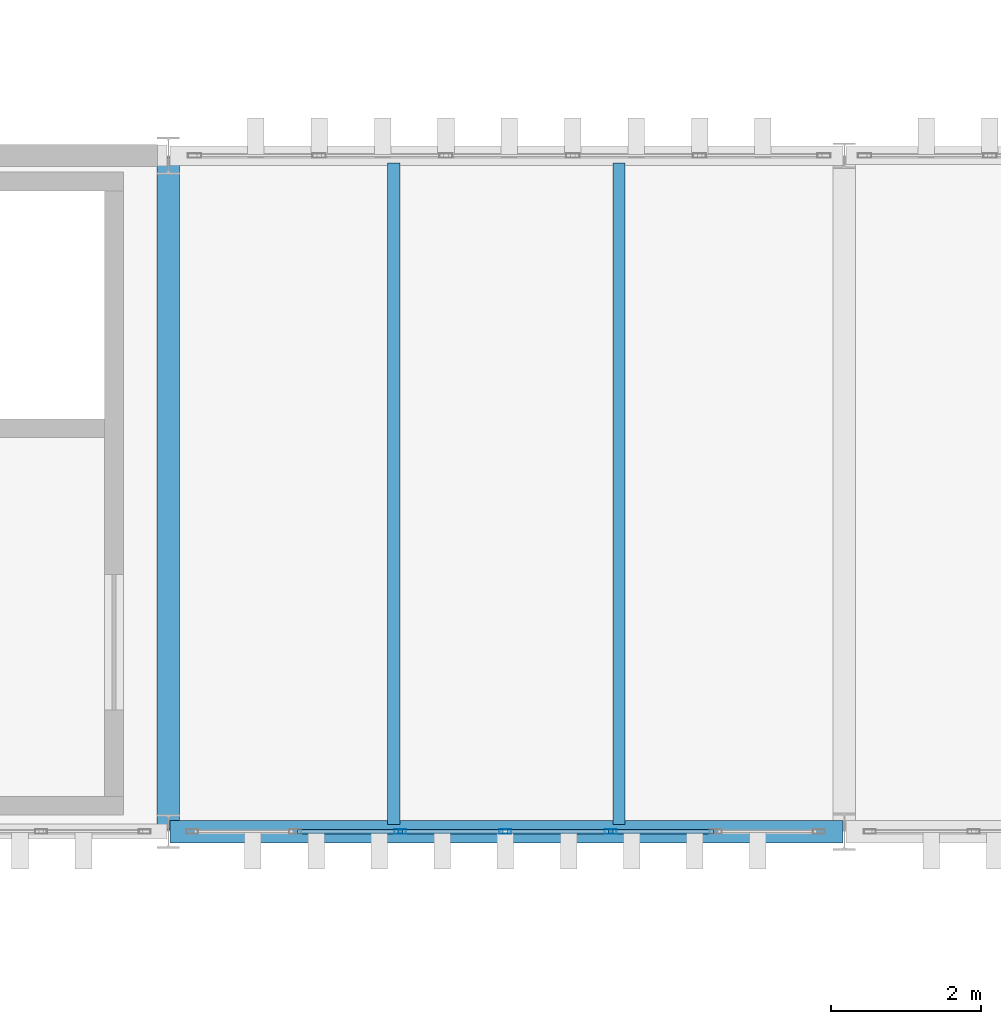
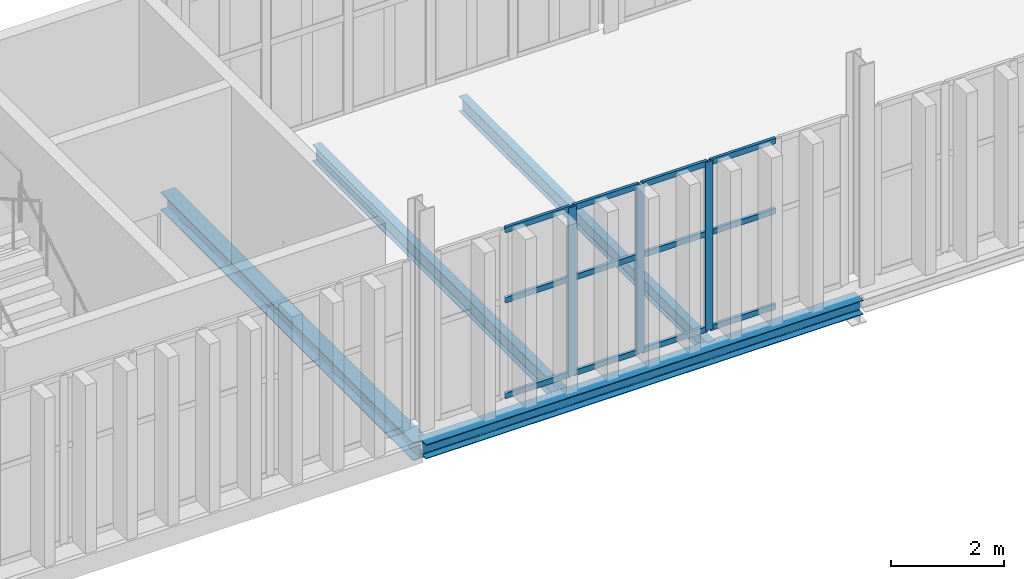
# One storey, part 137 of 196: 15 members, 4 beams, 1 element without a shape of its own.
"""IFC4 building model written with IfcOpenShell, lengths in metres."""

from ifc_helpers import new_model, si_unit, direction, frame, origin, origin_2d, place, context, subcontext, project, spatial, hollow_rectangle, i_section, extrude, material, layer, layer_set, material_profile, profile_set, type_object, element, aggregate, save


model = new_model("IFC4")

# Units and contexts
model_context = context("Model", 3, precision=1e-05, world=origin(), true_north=direction((0.0, 1.0)))
body_context = subcontext(model_context, "Body", "Model", "MODEL_VIEW")
ifc_project = project(units=[si_unit("LENGTHUNIT", "METRE"), si_unit("AREAUNIT", "SQUARE_METRE"), si_unit("VOLUMEUNIT", "CUBIC_METRE"), si_unit("PLANEANGLEUNIT", "RADIAN"), si_unit("MASSUNIT", "GRAM", prefix="KILO")], contexts=[model_context])

# Site, building, storey
site_placement = place(None, origin())
site = spatial("IfcSite", under=ifc_project, at=site_placement, CompositionType="ELEMENT")
building_placement = place(site_placement, origin())
building = spatial("IfcBuilding", under=site, at=building_placement, Name="Barlavento Convention Centre", CompositionType="ELEMENT")
storey_placement = place(building_placement, frame((0.0, 0.0, 18.0)))
storey = spatial("IfcBuildingStorey", under=building, at=storey_placement, Name="L03", CompositionType="ELEMENT", Elevation=18.0)

# Curtain wall, members
ifc_material_1 = material(Name="Powder-coated aluminium and Low-E glass", Category="aluminium")
ifc_layer = layer(ifc_material_1, 0.179931640625)
ifc_layer_set = layer_set([ifc_layer], Name="ARC-CW-PATIO-B")
curtain_wall_type = type_object("IfcCurtainWallType", Name="ARC-CW-PATIO-B", PredefinedType="NOTDEFINED", material=ifc_layer_set)
curtain_wall_placement = place(storey_placement, origin())
curtain_wall = element("IfcCurtainWall", 1, at=curtain_wall_placement, inside=storey, type_object=curtain_wall_type, Name="L03 unitised curtain wall CW12", PredefinedType="NOTDEFINED")
ifc_material_2 = material(Name="Powder-coated aluminium", Category="aluminium")
ifc_material_profile_1 = material_profile(ifc_material_2, hollow_rectangle(XDim=0.06005859375, YDim=0.159912109375, WallThickness=0.00390625, at=origin_2d()), Name="AL-MULL 60x160x4")
ifc_profile_set_1 = profile_set([ifc_material_profile_1], Name="Powder-coated aluminium")
member_type_1 = type_object("IfcMemberType", Name="ARC-CWM-60X160", PredefinedType="MULLION", material=ifc_profile_set_1)
member_1_placement = place(storey_placement, frame((156.086669921875, 90.0, 0.0), z_axis=(0.0, 0.0, 1.0), x_axis=(0.0, 1.0, 0.0)))
member_1 = element("IfcMember", 2, at=member_1_placement, type_object=member_type_1, Name="CW12 mullion 3", PredefinedType="MULLION", context=body_context, shape_type="SweptSolid", body=[
    extrude(hollow_rectangle(XDim=0.06005859375, YDim=0.159912109375, WallThickness=0.00390625, at=origin_2d()), origin(), (0.0, 0.0, 1.0), 3.64990234375),
])
member_2_placement = place(storey_placement, frame((157.487548828125, 90.0, 0.0), z_axis=(0.0, 0.0, 1.0), x_axis=(0.0, 1.0, 0.0)))
member_2 = element("IfcMember", 3, at=member_2_placement, type_object=member_type_1, Name="CW12 mullion 4", PredefinedType="MULLION", context=body_context, shape_type="SweptSolid", body=[
    extrude(hollow_rectangle(XDim=0.06005859375, YDim=0.159912109375, WallThickness=0.00390625, at=origin_2d()), origin(), (0.0, 0.0, 1.0), 3.64990234375),
])
member_3_placement = place(storey_placement, frame((158.888427734375, 90.0, 0.0), z_axis=(0.0, 0.0, 1.0), x_axis=(0.0, 1.0, 0.0)))
member_3 = element("IfcMember", 4, at=member_3_placement, type_object=member_type_1, Name="CW12 mullion 5", PredefinedType="MULLION", context=body_context, shape_type="SweptSolid", body=[
    extrude(hollow_rectangle(XDim=0.06005859375, YDim=0.159912109375, WallThickness=0.00390625, at=origin_2d()), origin(), (0.0, 0.0, 1.0), 3.64990234375),
])
ifc_material_profile_2 = material_profile(ifc_material_2, hollow_rectangle(XDim=0.06005859375, YDim=0.1201171875, WallThickness=0.00390625, at=origin_2d()), Name="AL-TRAN 60x120x4")
ifc_profile_set_2 = profile_set([ifc_material_profile_2], Name="Powder-coated aluminium")
member_type_2 = type_object("IfcMemberType", Name="ARC-CWT-60X120", PredefinedType="USERDEFINED", material=ifc_profile_set_2)
member_4_placement = place(storey_placement, frame((154.7158203125, 90.0, 0.030029296875), z_axis=(1.0, 0.0, 0.0), x_axis=(0.0, 1.0, 0.0)))
member_4 = element("IfcMember", 5, at=member_4_placement, type_object=member_type_2, Name="CW12 transom 2.1", ObjectType="TRANSOM", PredefinedType="USERDEFINED", context=body_context, shape_type="SweptSolid", body=[
    extrude(hollow_rectangle(XDim=0.06005859375, YDim=0.1201171875, WallThickness=0.00390625, at=origin_2d()), origin(), (0.0, 0.0, 1.0), 1.3408203125),
])
member_5_placement = place(storey_placement, frame((154.7158203125, 90.0, 2.10009765625), z_axis=(1.0, 0.0, 0.0), x_axis=(0.0, 1.0, 0.0)))
member_5 = element("IfcMember", 6, at=member_5_placement, type_object=member_type_2, Name="CW12 transom 2.2", ObjectType="TRANSOM", PredefinedType="USERDEFINED", context=body_context, shape_type="SweptSolid", body=[
    extrude(hollow_rectangle(XDim=0.06005859375, YDim=0.1201171875, WallThickness=0.00390625, at=origin_2d()), origin(), (0.0, 0.0, 1.0), 1.3408203125),
])
member_6_placement = place(storey_placement, frame((154.7158203125, 90.0, 3.6201171875), z_axis=(1.0, 0.0, 0.0), x_axis=(0.0, 1.0, 0.0)))
member_6 = element("IfcMember", 7, at=member_6_placement, type_object=member_type_2, Name="CW12 transom 2.3", ObjectType="TRANSOM", PredefinedType="USERDEFINED", context=body_context, shape_type="SweptSolid", body=[
    extrude(hollow_rectangle(XDim=0.06005859375, YDim=0.1201171875, WallThickness=0.00390625, at=origin_2d()), origin(), (0.0, 0.0, 1.0), 1.3408203125),
])
member_7_placement = place(storey_placement, frame((156.11669921875, 90.0, 0.030029296875), z_axis=(1.0, 0.0, 0.0), x_axis=(0.0, 1.0, 0.0)))
member_7 = element("IfcMember", 8, at=member_7_placement, type_object=member_type_2, Name="CW12 transom 3.1", ObjectType="TRANSOM", PredefinedType="USERDEFINED", context=body_context, shape_type="SweptSolid", body=[
    extrude(hollow_rectangle(XDim=0.06005859375, YDim=0.1201171875, WallThickness=0.00390625, at=origin_2d()), origin(), (0.0, 0.0, 1.0), 1.3408203125),
])
member_8_placement = place(storey_placement, frame((156.11669921875, 90.0, 2.10009765625), z_axis=(1.0, 0.0, 0.0), x_axis=(0.0, 1.0, 0.0)))
member_8 = element("IfcMember", 9, at=member_8_placement, type_object=member_type_2, Name="CW12 transom 3.2", ObjectType="TRANSOM", PredefinedType="USERDEFINED", context=body_context, shape_type="SweptSolid", body=[
    extrude(hollow_rectangle(XDim=0.06005859375, YDim=0.1201171875, WallThickness=0.00390625, at=origin_2d()), origin(), (0.0, 0.0, 1.0), 1.3408203125),
])
member_9_placement = place(storey_placement, frame((156.11669921875, 90.0, 3.6201171875), z_axis=(1.0, 0.0, 0.0), x_axis=(0.0, 1.0, 0.0)))
member_9 = element("IfcMember", 10, at=member_9_placement, type_object=member_type_2, Name="CW12 transom 3.3", ObjectType="TRANSOM", PredefinedType="USERDEFINED", context=body_context, shape_type="SweptSolid", body=[
    extrude(hollow_rectangle(XDim=0.06005859375, YDim=0.1201171875, WallThickness=0.00390625, at=origin_2d()), origin(), (0.0, 0.0, 1.0), 1.3408203125),
])
member_10_placement = place(storey_placement, frame((157.517578125, 90.0, 0.030029296875), z_axis=(1.0, 0.0, 0.0), x_axis=(0.0, 1.0, 0.0)))
member_10 = element("IfcMember", 11, at=member_10_placement, type_object=member_type_2, Name="CW12 transom 4.1", ObjectType="TRANSOM", PredefinedType="USERDEFINED", context=body_context, shape_type="SweptSolid", body=[
    extrude(hollow_rectangle(XDim=0.06005859375, YDim=0.1201171875, WallThickness=0.00390625, at=origin_2d()), origin(), (0.0, 0.0, 1.0), 1.3408203125),
])
member_11_placement = place(storey_placement, frame((157.517578125, 90.0, 2.10009765625), z_axis=(1.0, 0.0, 0.0), x_axis=(0.0, 1.0, 0.0)))
member_11 = element("IfcMember", 12, at=member_11_placement, type_object=member_type_2, Name="CW12 transom 4.2", ObjectType="TRANSOM", PredefinedType="USERDEFINED", context=body_context, shape_type="SweptSolid", body=[
    extrude(hollow_rectangle(XDim=0.06005859375, YDim=0.1201171875, WallThickness=0.00390625, at=origin_2d()), origin(), (0.0, 0.0, 1.0), 1.3408203125),
])
member_12_placement = place(storey_placement, frame((157.517578125, 90.0, 3.6201171875), z_axis=(1.0, 0.0, 0.0), x_axis=(0.0, 1.0, 0.0)))
member_12 = element("IfcMember", 13, at=member_12_placement, type_object=member_type_2, Name="CW12 transom 4.3", ObjectType="TRANSOM", PredefinedType="USERDEFINED", context=body_context, shape_type="SweptSolid", body=[
    extrude(hollow_rectangle(XDim=0.06005859375, YDim=0.1201171875, WallThickness=0.00390625, at=origin_2d()), origin(), (0.0, 0.0, 1.0), 1.3408203125),
])
member_13_placement = place(storey_placement, frame((158.918212890625, 90.0, 0.030029296875), z_axis=(1.0, 0.0, 0.0), x_axis=(0.0, 1.0, 0.0)))
member_13 = element("IfcMember", 14, at=member_13_placement, type_object=member_type_2, Name="CW12 transom 5.1", ObjectType="TRANSOM", PredefinedType="USERDEFINED", context=body_context, shape_type="SweptSolid", body=[
    extrude(hollow_rectangle(XDim=0.06005859375, YDim=0.1201171875, WallThickness=0.00390625, at=origin_2d()), origin(), (0.0, 0.0, 1.0), 1.341064453125),
])
member_14_placement = place(storey_placement, frame((158.918212890625, 90.0, 2.10009765625), z_axis=(1.0, 0.0, 0.0), x_axis=(0.0, 1.0, 0.0)))
member_14 = element("IfcMember", 15, at=member_14_placement, type_object=member_type_2, Name="CW12 transom 5.2", ObjectType="TRANSOM", PredefinedType="USERDEFINED", context=body_context, shape_type="SweptSolid", body=[
    extrude(hollow_rectangle(XDim=0.06005859375, YDim=0.1201171875, WallThickness=0.00390625, at=origin_2d()), origin(), (0.0, 0.0, 1.0), 1.341064453125),
])
member_15_placement = place(storey_placement, frame((158.918212890625, 90.0, 3.6201171875), z_axis=(1.0, 0.0, 0.0), x_axis=(0.0, 1.0, 0.0)))
member_15 = element("IfcMember", 16, at=member_15_placement, type_object=member_type_2, Name="CW12 transom 5.3", ObjectType="TRANSOM", PredefinedType="USERDEFINED", context=body_context, shape_type="SweptSolid", body=[
    extrude(hollow_rectangle(XDim=0.06005859375, YDim=0.1201171875, WallThickness=0.00390625, at=origin_2d()), origin(), (0.0, 0.0, 1.0), 1.341064453125),
])
aggregate(curtain_wall, [member_1, member_2, member_3, member_4, member_5, member_6, member_7, member_8, member_9, member_10, member_11, member_12, member_13, member_14, member_15])

# Beams
ifc_material_3 = material(Name="Steel S355", Category="steel")
ifc_material_profile_3 = material_profile(ifc_material_3, i_section(OverallWidth=0.159912109375, OverallDepth=0.330078125, WebThickness=0.007568359375, FlangeThickness=0.011474609375, FilletRadius=0.01806640625, at=origin_2d()), Name="IPE 330")
ifc_profile_set_3 = profile_set([ifc_material_profile_3], Name="Steel S355")
beam_type_1 = type_object("IfcBeamType", Name="STR-BM-JST-IPE330", PredefinedType="JOIST", material=ifc_profile_set_3)
beam_1_placement = place(storey_placement, frame((159.0, 90.094970703125, -0.52490234375), z_axis=(0.0, 1.0, 0.0), x_axis=(-1.0, 0.0, 0.0)))
element("IfcBeam", 17, at=beam_1_placement, inside=storey, type_object=beam_type_1, Name="L03 composite floor joist SJ06", PredefinedType="JOIST", context=body_context, shape_type="SweptSolid", body=[
    extrude(i_section(OverallWidth=0.159912109375, OverallDepth=0.330078125, WebThickness=0.007568359375, FlangeThickness=0.011474609375, FilletRadius=0.01806640625, at=origin_2d()), origin(), (0.0, 0.0, 1.0), 8.81005859375),
])
ifc_material_profile_4 = material_profile(ifc_material_3, i_section(OverallWidth=0.169921875, OverallDepth=0.360107421875, WebThickness=0.008056640625, FlangeThickness=0.0126953125, FilletRadius=0.01806640625, at=origin_2d()), Name="IPE 360")
ifc_profile_set_4 = profile_set([ifc_material_profile_4], Name="Steel S355")
beam_type_2 = type_object("IfcBeamType", Name="STR-BM-JST-IPE360", PredefinedType="JOIST", material=ifc_profile_set_4)
beam_2_placement = place(storey_placement, frame((156.0, 90.094970703125, -0.5400390625), z_axis=(0.0, 1.0, 0.0), x_axis=(-1.0, 0.0, 0.0)))
element("IfcBeam", 18, at=beam_2_placement, inside=storey, type_object=beam_type_2, Name="L03 composite floor joist SJ05", PredefinedType="JOIST", context=body_context, shape_type="SweptSolid", body=[
    extrude(i_section(OverallWidth=0.169921875, OverallDepth=0.360107421875, WebThickness=0.008056640625, FlangeThickness=0.0126953125, FilletRadius=0.01806640625, at=origin_2d()), origin(), (0.0, 0.0, 1.0), 8.81005859375),
])
ifc_material_profile_5 = material_profile(ifc_material_3, i_section(OverallWidth=0.300048828125, OverallDepth=0.389892578125, WebThickness=0.010986328125, FlangeThickness=0.01904296875, FilletRadius=0.027099609375, at=origin_2d()), Name="HEA 400")
ifc_profile_set_5 = profile_set([ifc_material_profile_5], Name="Steel S355")
beam_type_3 = type_object("IfcBeamType", Name="STR-BM-PRI-HEA400", PredefinedType="BEAM", material=ifc_profile_set_5)
beam_3_placement = place(storey_placement, frame((153.0, 90.02001953125, -0.554931640625), z_axis=(0.0, 1.0, 0.0), x_axis=(-1.0, 0.0, 0.0)))
element("IfcBeam", 19, at=beam_3_placement, inside=storey, type_object=beam_type_3, Name="L03 grid girder BG22", PredefinedType="BEAM", context=body_context, shape_type="SweptSolid", body=[
    extrude(i_section(OverallWidth=0.300048828125, OverallDepth=0.389892578125, WebThickness=0.010986328125, FlangeThickness=0.01904296875, FilletRadius=0.027099609375, at=origin_2d()), origin(), (0.0, 0.0, 1.0), 8.9599609375),
])
ifc_material_profile_6 = material_profile(ifc_material_3, i_section(OverallWidth=0.300048828125, OverallDepth=0.31005859375, WebThickness=0.009033203125, FlangeThickness=0.015380859375, FilletRadius=0.027099609375, at=origin_2d()), Name="HEA 320")
ifc_profile_set_6 = profile_set([ifc_material_profile_6], Name="Steel S355")
beam_type_4 = type_object("IfcBeamType", Name="STR-BM-SPN-HEA320", PredefinedType="SPANDREL", material=ifc_profile_set_6)
beam_4_placement = place(storey_placement, frame((153.02001953125, 90.0, -0.514892578125), z_axis=(1.0, 0.0, 0.0), x_axis=(0.0, 1.0, 0.0)))
element("IfcBeam", 20, at=beam_4_placement, inside=storey, type_object=beam_type_4, Name="L03 primary girder SP01", PredefinedType="SPANDREL", context=body_context, shape_type="SweptSolid", body=[
    extrude(i_section(OverallWidth=0.300048828125, OverallDepth=0.31005859375, WebThickness=0.009033203125, FlangeThickness=0.015380859375, FilletRadius=0.027099609375, at=origin_2d()), origin(), (0.0, 0.0, 1.0), 8.9599609375),
])

save(model, "model.ifc")
